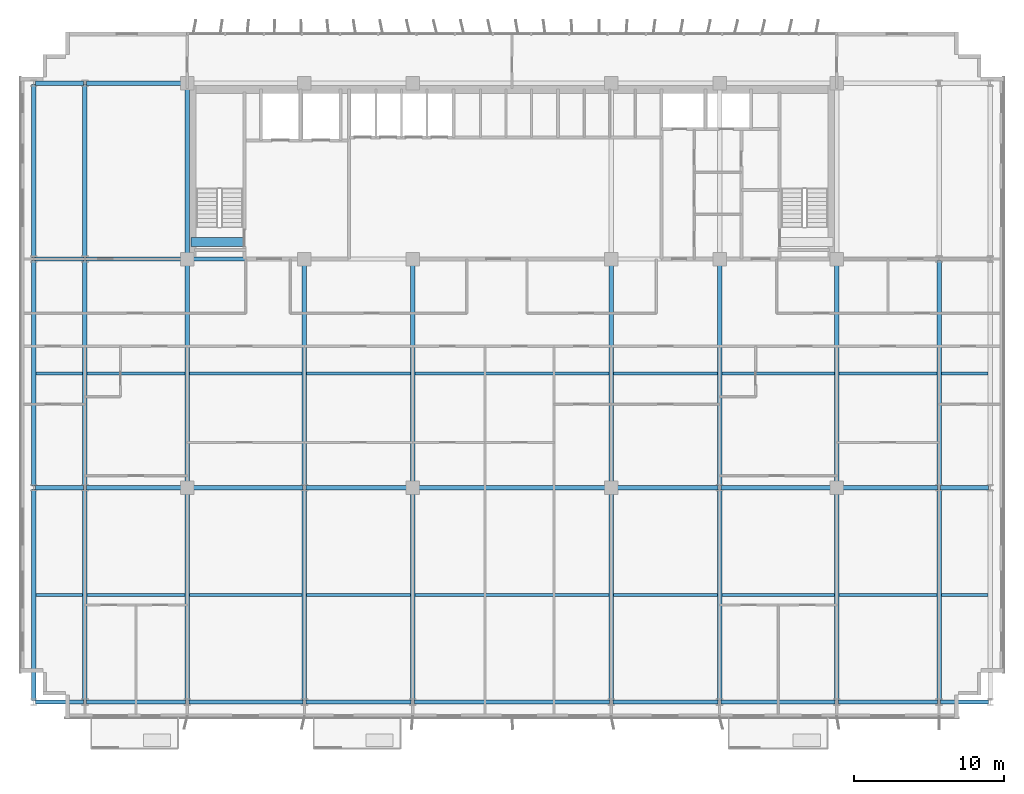
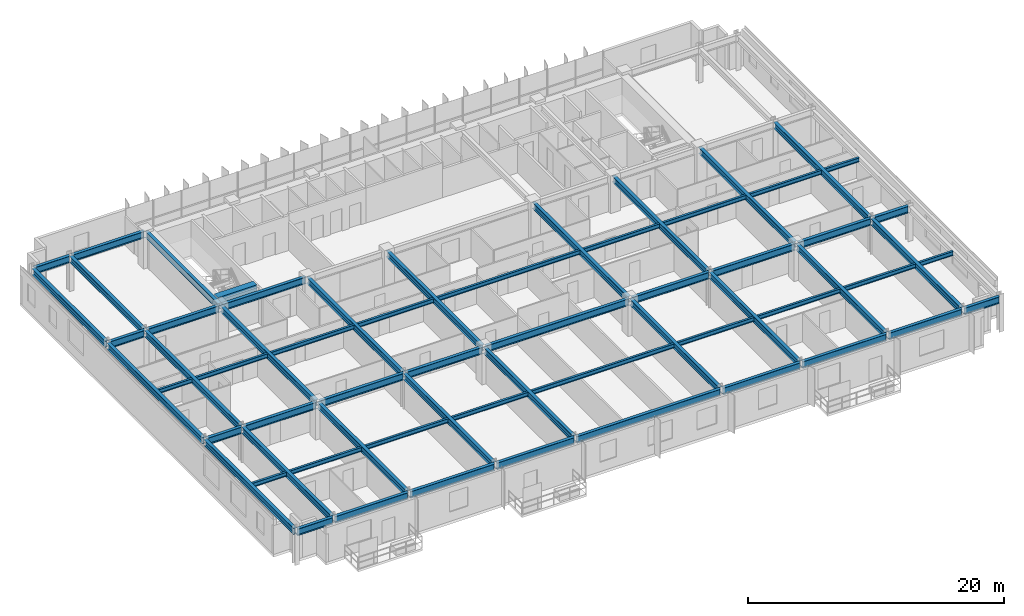
# One storey, part 4 of 22: 63 beams.
"""IFC4 building model written with IfcOpenShell, lengths in metres."""

from ifc_helpers import new_model, si_unit, direction, frame, origin, origin_2d, place, context, subcontext, project, spatial, rectangle, i_section, extrude, source, transform, mapped, material, material_profile, profile_set, type_object, element, save


model = new_model("IFC4")

# Units and contexts
model_context = context("Model", 3, precision=1e-05, world=origin(), true_north=direction((0.0, 1.0)))
body_context = subcontext(model_context, "Body", "Model", "MODEL_VIEW")
ifc_project = project(units=[si_unit("LENGTHUNIT", "METRE"), si_unit("AREAUNIT", "SQUARE_METRE"), si_unit("VOLUMEUNIT", "CUBIC_METRE"), si_unit("PLANEANGLEUNIT", "RADIAN"), si_unit("MASSUNIT", "GRAM", prefix="KILO")], contexts=[model_context])

# Site, building, storey
site_placement = place(None, origin())
site = spatial("IfcSite", under=ifc_project, at=site_placement, CompositionType="ELEMENT")
building_placement = place(site_placement, origin())
building = spatial("IfcBuilding", under=site, at=building_placement, Name="Trelvane Seafront Commons", CompositionType="ELEMENT")
storey_placement = place(building_placement, frame((0.0, 0.0, 59.5)))
storey = spatial("IfcBuildingStorey", under=building, at=storey_placement, Name="L15", CompositionType="ELEMENT", Elevation=59.5)

# Beams
ifc_material_1 = material(Name="Concrete C60/75", Category="concrete")
ifc_material_profile_1 = material_profile(ifc_material_1, rectangle(XDim=0.60009765625, YDim=0.89990234375, at=origin_2d()), Name="RC-600x900")
ifc_profile_set_1 = profile_set([ifc_material_profile_1], Name="Concrete C60/75")
beam_type_1 = type_object("IfcBeamType", Name="STR-LNT-RC600x900", PredefinedType="LINTEL", material=ifc_profile_set_1)
shared_shape_1 = source(origin(), body_context, "Body", "SweptSolid", [
    extrude(rectangle(XDim=0.60009765625, YDim=0.89990234375, at=origin_2d()), origin(), (0.0, 0.0, 1.0), 3.5498046875),
])
beam_1_placement = place(storey_placement, frame((15.85009765625, 34.550048828125, 2.889892578125), z_axis=(1.0, 0.0, 0.0), x_axis=(0.0, 1.0, 0.0)))
element("IfcBeam", 1, at=beam_1_placement, inside=storey, type_object=beam_type_1, Name="L15 Core Coupling Lintel Beam CB-85", PredefinedType="LINTEL", context=body_context, shape_type="MappedRepresentation", body=[
    mapped(shared_shape_1, transform((0.0, 0.0, 0.0), x_axis=(1.0, 0.0, 0.0), y_axis=(0.0, 1.0, 0.0), z_axis=(0.0, 0.0, 1.0), scale=1.0)),
])
ifc_material_2 = material(Name="Steel SM355 (S355)", Category="steel")
ifc_material_profile_2 = material_profile(ifc_material_2, i_section(OverallWidth=0.280029296875, OverallDepth=0.64990234375, WebThickness=0.012939453125, FlangeThickness=0.02197265625, at=origin_2d()), Name="H-650x280x13x22")
ifc_profile_set_2 = profile_set([ifc_material_profile_2], Name="Steel SM355 (S355)")
beam_type_2 = type_object("IfcBeamType", Name="STR-BM-H650", PredefinedType="BEAM", material=ifc_profile_set_2)
shared_shape_2 = source(origin(), body_context, "Body", "SweptSolid", [
    extrude(i_section(OverallWidth=0.280029296875, OverallDepth=0.64990234375, WebThickness=0.012939453125, FlangeThickness=0.02197265625, at=origin_2d()), origin(), (0.0, 0.0, 1.0), 3.190185546875),
])
for number, where, z_axis, x_axis, name in (
    (2, (5.5048828125, 3.949951171875, 3.014892578125), (1.0, 0.0, 0.0), (0.0, 1.0, 0.0), "L15 Primary Girder G-01"),
    (3, (5.5048828125, 18.199951171875, 3.014892578125), (1.0, 0.0, 0.0), (0.0, 1.0, 0.0), "L15 Primary Girder G-10"),
    (4, (5.5048828125, 33.39990234375, 3.014892578125), (1.0, 0.0, 0.0), (0.0, 1.0, 0.0), "L15 Primary Girder G-19"),
    (5, (5.5048828125, 45.10009765625, 3.014892578125), (1.0, 0.0, 0.0), (0.0, 1.0, 0.0), "L15 Primary Girder G-28"),
):
    element("IfcBeam", number, at=place(storey_placement, frame(where, z_axis=z_axis, x_axis=x_axis)), inside=storey, type_object=beam_type_2, Name=name, PredefinedType="BEAM", context=body_context, shape_type="MappedRepresentation", body=[
        mapped(shared_shape_2, transform((0.0, 0.0, 0.0), x_axis=(1.0, 0.0, 0.0), y_axis=(0.0, 1.0, 0.0), z_axis=(0.0, 0.0, 1.0), scale=1.0)),
    ])
shared_shape_3 = source(origin(), body_context, "Body", "SweptSolid", [
    extrude(i_section(OverallWidth=0.280029296875, OverallDepth=0.64990234375, WebThickness=0.012939453125, FlangeThickness=0.02197265625, at=origin_2d()), origin(), (0.0, 0.0, 1.0), 6.590087890625),
])
for number, where, z_axis, x_axis, name in (
    (6, (8.905029296875, 3.949951171875, 3.014892578125), (1.0, 0.0, 0.0), (0.0, 1.0, 0.0), "L15 Primary Girder G-02"),
    (7, (58.905029296875, 3.949951171875, 3.014892578125), (1.0, 0.0, 0.0), (0.0, 1.0, 0.0), "L15 Primary Girder G-08"),
):
    element("IfcBeam", number, at=place(storey_placement, frame(where, z_axis=z_axis, x_axis=x_axis)), inside=storey, type_object=beam_type_2, Name=name, PredefinedType="BEAM", context=body_context, shape_type="MappedRepresentation", body=[
        mapped(shared_shape_3, transform((0.0, 0.0, 0.0), x_axis=(1.0, 0.0, 0.0), y_axis=(0.0, 1.0, 0.0), z_axis=(0.0, 0.0, 1.0), scale=1.0)),
    ])
shared_shape_4 = source(origin(), body_context, "Body", "SweptSolid", [
    extrude(i_section(OverallWidth=0.280029296875, OverallDepth=0.64990234375, WebThickness=0.012939453125, FlangeThickness=0.02197265625, at=origin_2d()), origin(), (0.0, 0.0, 1.0), 7.58984375),
])
beam_2_placement = place(storey_placement, frame((15.705078125, 3.949951171875, 3.014892578125), z_axis=(1.0, 0.0, 0.0), x_axis=(0.0, 1.0, 0.0)))
element("IfcBeam", 8, at=beam_2_placement, inside=storey, type_object=beam_type_2, Name="L15 Primary Girder G-03", PredefinedType="BEAM", context=body_context, shape_type="MappedRepresentation", body=[
    mapped(shared_shape_4, transform((0.0, 0.0, 0.0), x_axis=(1.0, 0.0, 0.0), y_axis=(0.0, 1.0, 0.0), z_axis=(0.0, 0.0, 1.0), scale=1.0)),
])
shared_shape_5 = source(origin(), body_context, "Body", "SweptSolid", [
    extrude(i_section(OverallWidth=0.280029296875, OverallDepth=0.64990234375, WebThickness=0.012939453125, FlangeThickness=0.02197265625, at=origin_2d()), origin(), (0.0, 0.0, 1.0), 6.990234375),
])
beam_3_placement = place(storey_placement, frame((23.5048828125, 3.949951171875, 3.014892578125), z_axis=(1.0, 0.0, 0.0), x_axis=(0.0, 1.0, 0.0)))
element("IfcBeam", 9, at=beam_3_placement, inside=storey, type_object=beam_type_2, Name="L15 Primary Girder G-04", PredefinedType="BEAM", context=body_context, shape_type="MappedRepresentation", body=[
    mapped(shared_shape_5, transform((0.0, 0.0, 0.0), x_axis=(1.0, 0.0, 0.0), y_axis=(0.0, 1.0, 0.0), z_axis=(0.0, 0.0, 1.0), scale=1.0)),
])
shared_shape_6 = source(origin(), body_context, "Body", "SweptSolid", [
    extrude(i_section(OverallWidth=0.280029296875, OverallDepth=0.64990234375, WebThickness=0.012939453125, FlangeThickness=0.02197265625, at=origin_2d()), origin(), (0.0, 0.0, 1.0), 12.989990234375),
])
beam_4_placement = place(storey_placement, frame((30.705078125, 3.949951171875, 3.014892578125), z_axis=(1.0, 0.0, 0.0), x_axis=(0.0, 1.0, 0.0)))
element("IfcBeam", 10, at=beam_4_placement, inside=storey, type_object=beam_type_2, Name="L15 Primary Girder G-05", PredefinedType="BEAM", context=body_context, shape_type="MappedRepresentation", body=[
    mapped(shared_shape_6, transform((0.0, 0.0, 0.0), x_axis=(1.0, 0.0, 0.0), y_axis=(0.0, 1.0, 0.0), z_axis=(0.0, 0.0, 1.0), scale=1.0)),
])
shared_shape_7 = source(origin(), body_context, "Body", "SweptSolid", [
    extrude(i_section(OverallWidth=0.280029296875, OverallDepth=0.64990234375, WebThickness=0.012939453125, FlangeThickness=0.02197265625, at=origin_2d()), origin(), (0.0, 0.0, 1.0), 6.989990234375),
])
beam_5_placement = place(storey_placement, frame((43.905029296875, 3.949951171875, 3.014892578125), z_axis=(1.0, 0.0, 0.0), x_axis=(0.0, 1.0, 0.0)))
element("IfcBeam", 11, at=beam_5_placement, inside=storey, type_object=beam_type_2, Name="L15 Primary Girder G-06", PredefinedType="BEAM", context=body_context, shape_type="MappedRepresentation", body=[
    mapped(shared_shape_7, transform((0.0, 0.0, 0.0), x_axis=(1.0, 0.0, 0.0), y_axis=(0.0, 1.0, 0.0), z_axis=(0.0, 0.0, 1.0), scale=1.0)),
])
shared_shape_8 = source(origin(), body_context, "Body", "SweptSolid", [
    extrude(i_section(OverallWidth=0.280029296875, OverallDepth=0.64990234375, WebThickness=0.012939453125, FlangeThickness=0.02197265625, at=origin_2d()), origin(), (0.0, 0.0, 1.0), 7.590087890625),
])
beam_6_placement = place(storey_placement, frame((51.10498046875, 3.949951171875, 3.014892578125), z_axis=(1.0, 0.0, 0.0), x_axis=(0.0, 1.0, 0.0)))
element("IfcBeam", 12, at=beam_6_placement, inside=storey, type_object=beam_type_2, Name="L15 Primary Girder G-07", PredefinedType="BEAM", context=body_context, shape_type="MappedRepresentation", body=[
    mapped(shared_shape_8, transform((0.0, 0.0, 0.0), x_axis=(1.0, 0.0, 0.0), y_axis=(0.0, 1.0, 0.0), z_axis=(0.0, 0.0, 1.0), scale=1.0)),
])
shared_shape_9 = source(origin(), body_context, "Body", "SweptSolid", [
    extrude(i_section(OverallWidth=0.280029296875, OverallDepth=0.64990234375, WebThickness=0.012939453125, FlangeThickness=0.02197265625, at=origin_2d()), origin(), (0.0, 0.0, 1.0), 3.18994140625),
])
for number, where, z_axis, x_axis, name in (
    (13, (65.705078125, 3.949951171875, 3.014892578125), (1.0, 0.0, 0.0), (0.0, 1.0, 0.0), "L15 Primary Girder G-09"),
    (14, (65.705078125, 18.199951171875, 3.014892578125), (1.0, 0.0, 0.0), (0.0, 1.0, 0.0), "L15 Primary Girder G-18"),
):
    element("IfcBeam", number, at=place(storey_placement, frame(where, z_axis=z_axis, x_axis=x_axis)), inside=storey, type_object=beam_type_2, Name=name, PredefinedType="BEAM", context=body_context, shape_type="MappedRepresentation", body=[
        mapped(shared_shape_9, transform((0.0, 0.0, 0.0), x_axis=(1.0, 0.0, 0.0), y_axis=(0.0, 1.0, 0.0), z_axis=(0.0, 0.0, 1.0), scale=1.0)),
    ])
shared_shape_10 = source(origin(), body_context, "Body", "SweptSolid", [
    extrude(i_section(OverallWidth=0.280029296875, OverallDepth=0.64990234375, WebThickness=0.012939453125, FlangeThickness=0.02197265625, at=origin_2d()), origin(), (0.0, 0.0, 1.0), 6.544921875),
])
for number, where, z_axis, x_axis, name in (
    (15, (8.905029296875, 18.199951171875, 3.014892578125), (1.0, 0.0, 0.0), (0.0, 1.0, 0.0), "L15 Primary Girder G-11"),
    (16, (8.905029296875, 33.39990234375, 3.014892578125), (1.0, 0.0, 0.0), (0.0, 1.0, 0.0), "L15 Primary Girder G-20"),
    (17, (8.905029296875, 45.10009765625, 3.014892578125), (1.0, 0.0, 0.0), (0.0, 1.0, 0.0), "L15 Primary Girder G-29"),
):
    element("IfcBeam", number, at=place(storey_placement, frame(where, z_axis=z_axis, x_axis=x_axis)), inside=storey, type_object=beam_type_2, Name=name, PredefinedType="BEAM", context=body_context, shape_type="MappedRepresentation", body=[
        mapped(shared_shape_10, transform((0.0, 0.0, 0.0), x_axis=(1.0, 0.0, 0.0), y_axis=(0.0, 1.0, 0.0), z_axis=(0.0, 0.0, 1.0), scale=1.0)),
    ])
shared_shape_11 = source(origin(), body_context, "Body", "SweptSolid", [
    extrude(i_section(OverallWidth=0.280029296875, OverallDepth=0.64990234375, WebThickness=0.012939453125, FlangeThickness=0.02197265625, at=origin_2d()), origin(), (0.0, 0.0, 1.0), 7.544921875),
])
for number, where, z_axis, x_axis, name in (
    (18, (15.75, 18.199951171875, 3.014892578125), (1.0, 0.0, 0.0), (0.0, 1.0, 0.0), "L15 Primary Girder G-12"),
    (19, (51.10498046875, 18.199951171875, 3.014892578125), (1.0, 0.0, 0.0), (0.0, 1.0, 0.0), "L15 Primary Girder G-16"),
):
    element("IfcBeam", number, at=place(storey_placement, frame(where, z_axis=z_axis, x_axis=x_axis)), inside=storey, type_object=beam_type_2, Name=name, PredefinedType="BEAM", context=body_context, shape_type="MappedRepresentation", body=[
        mapped(shared_shape_11, transform((0.0, 0.0, 0.0), x_axis=(1.0, 0.0, 0.0), y_axis=(0.0, 1.0, 0.0), z_axis=(0.0, 0.0, 1.0), scale=1.0)),
    ])
shared_shape_12 = source(origin(), body_context, "Body", "SweptSolid", [
    extrude(i_section(OverallWidth=0.280029296875, OverallDepth=0.64990234375, WebThickness=0.012939453125, FlangeThickness=0.02197265625, at=origin_2d()), origin(), (0.0, 0.0, 1.0), 6.945068359375),
])
for number, where, z_axis, x_axis, name in (
    (20, (23.5048828125, 18.199951171875, 3.014892578125), (1.0, 0.0, 0.0), (0.0, 1.0, 0.0), "L15 Primary Girder G-13"),
    (21, (43.949951171875, 18.199951171875, 3.014892578125), (1.0, 0.0, 0.0), (0.0, 1.0, 0.0), "L15 Primary Girder G-15"),
):
    element("IfcBeam", number, at=place(storey_placement, frame(where, z_axis=z_axis, x_axis=x_axis)), inside=storey, type_object=beam_type_2, Name=name, PredefinedType="BEAM", context=body_context, shape_type="MappedRepresentation", body=[
        mapped(shared_shape_12, transform((0.0, 0.0, 0.0), x_axis=(1.0, 0.0, 0.0), y_axis=(0.0, 1.0, 0.0), z_axis=(0.0, 0.0, 1.0), scale=1.0)),
    ])
shared_shape_13 = source(origin(), body_context, "Body", "SweptSolid", [
    extrude(i_section(OverallWidth=0.280029296875, OverallDepth=0.64990234375, WebThickness=0.012939453125, FlangeThickness=0.02197265625, at=origin_2d()), origin(), (0.0, 0.0, 1.0), 12.89990234375),
])
beam_7_placement = place(storey_placement, frame((30.75, 18.199951171875, 3.014892578125), z_axis=(1.0, 0.0, 0.0), x_axis=(0.0, 1.0, 0.0)))
element("IfcBeam", 22, at=beam_7_placement, inside=storey, type_object=beam_type_2, Name="L15 Primary Girder G-14", PredefinedType="BEAM", context=body_context, shape_type="MappedRepresentation", body=[
    mapped(shared_shape_13, transform((0.0, 0.0, 0.0), x_axis=(1.0, 0.0, 0.0), y_axis=(0.0, 1.0, 0.0), z_axis=(0.0, 0.0, 1.0), scale=1.0)),
])
shared_shape_14 = source(origin(), body_context, "Body", "SweptSolid", [
    extrude(i_section(OverallWidth=0.280029296875, OverallDepth=0.64990234375, WebThickness=0.012939453125, FlangeThickness=0.02197265625, at=origin_2d()), origin(), (0.0, 0.0, 1.0), 6.545166015625),
])
beam_8_placement = place(storey_placement, frame((58.949951171875, 18.199951171875, 3.014892578125), z_axis=(1.0, 0.0, 0.0), x_axis=(0.0, 1.0, 0.0)))
element("IfcBeam", 23, at=beam_8_placement, inside=storey, type_object=beam_type_2, Name="L15 Primary Girder G-17", PredefinedType="BEAM", context=body_context, shape_type="MappedRepresentation", body=[
    mapped(shared_shape_14, transform((0.0, 0.0, 0.0), x_axis=(1.0, 0.0, 0.0), y_axis=(0.0, 1.0, 0.0), z_axis=(0.0, 0.0, 1.0), scale=1.0)),
])
shared_shape_15 = source(origin(), body_context, "Body", "SweptSolid", [
    extrude(i_section(OverallWidth=0.280029296875, OverallDepth=0.64990234375, WebThickness=0.012939453125, FlangeThickness=0.02197265625, at=origin_2d()), origin(), (0.0, 0.0, 1.0), 7.5),
])
beam_9_placement = place(storey_placement, frame((15.75, 33.39990234375, 3.014892578125), z_axis=(1.0, 0.0, 0.0), x_axis=(0.0, 1.0, 0.0)))
element("IfcBeam", 24, at=beam_9_placement, inside=storey, type_object=beam_type_2, Name="L15 Primary Girder G-21", PredefinedType="BEAM", context=body_context, shape_type="MappedRepresentation", body=[
    mapped(shared_shape_15, transform((0.0, 0.0, 0.0), x_axis=(1.0, 0.0, 0.0), y_axis=(0.0, 1.0, 0.0), z_axis=(0.0, 0.0, 1.0), scale=1.0)),
])
ifc_material_profile_3 = material_profile(ifc_material_2, i_section(OverallWidth=0.300048828125, OverallDepth=0.587890625, WebThickness=0.011962890625, FlangeThickness=0.02001953125, at=origin_2d()), Name="H-588x300x12x20")
ifc_profile_set_3 = profile_set([ifc_material_profile_3], Name="Steel SM355 (S355)")
beam_type_3 = type_object("IfcBeamType", Name="STR-BM-H588", PredefinedType="BEAM", material=ifc_profile_set_3)
shared_shape_16 = source(origin(), body_context, "Body", "SweptSolid", [
    extrude(i_section(OverallWidth=0.300048828125, OverallDepth=0.587890625, WebThickness=0.011962890625, FlangeThickness=0.02001953125, at=origin_2d()), origin(), (0.0, 0.0, 1.0), 14.0400390625),
])
for number, where, z_axis, x_axis, name in (
    (25, (5.39990234375, 4.054931640625, 3.0458984375), (0.0, 1.0, 0.0), (-1.0, 0.0, 0.0), "L15 Primary Girder G-37"),
    (26, (8.800048828125, 4.054931640625, 3.0458984375), (0.0, 1.0, 0.0), (-1.0, 0.0, 0.0), "L15 Primary Girder G-40"),
    (27, (23.39990234375, 4.054931640625, 3.0458984375), (0.0, 1.0, 0.0), (-1.0, 0.0, 0.0), "L15 Primary Girder G-46"),
    (28, (51.0, 4.054931640625, 3.0458984375), (0.0, 1.0, 0.0), (-1.0, 0.0, 0.0), "L15 Primary Girder G-55"),
    (29, (65.60009765625, 4.054931640625, 3.0458984375), (0.0, 1.0, 0.0), (-1.0, 0.0, 0.0), "L15 Primary Girder G-61"),
):
    element("IfcBeam", number, at=place(storey_placement, frame(where, z_axis=z_axis, x_axis=x_axis)), inside=storey, type_object=beam_type_3, Name=name, PredefinedType="BEAM", context=body_context, shape_type="MappedRepresentation", body=[
        mapped(shared_shape_16, transform((0.0, 0.0, 0.0), x_axis=(1.0, 0.0, 0.0), y_axis=(0.0, 1.0, 0.0), z_axis=(0.0, 0.0, 1.0), scale=1.0)),
    ])
shared_shape_17 = source(origin(), body_context, "Body", "SweptSolid", [
    extrude(i_section(OverallWidth=0.300048828125, OverallDepth=0.587890625, WebThickness=0.011962890625, FlangeThickness=0.02001953125, at=origin_2d()), origin(), (0.0, 0.0, 1.0), 14.989990234375),
])
for number, where, z_axis, x_axis, name in (
    (30, (5.39990234375, 18.304931640625, 3.0458984375), (0.0, 1.0, 0.0), (-1.0, 0.0, 0.0), "L15 Primary Girder G-38"),
    (31, (8.800048828125, 18.304931640625, 3.0458984375), (0.0, 1.0, 0.0), (-1.0, 0.0, 0.0), "L15 Primary Girder G-41"),
    (32, (65.60009765625, 18.304931640625, 3.0458984375), (0.0, 1.0, 0.0), (-1.0, 0.0, 0.0), "L15 Primary Girder G-62"),
):
    element("IfcBeam", number, at=place(storey_placement, frame(where, z_axis=z_axis, x_axis=x_axis)), inside=storey, type_object=beam_type_3, Name=name, PredefinedType="BEAM", context=body_context, shape_type="MappedRepresentation", body=[
        mapped(shared_shape_17, transform((0.0, 0.0, 0.0), x_axis=(1.0, 0.0, 0.0), y_axis=(0.0, 1.0, 0.0), z_axis=(0.0, 0.0, 1.0), scale=1.0)),
    ])
shared_shape_18 = source(origin(), body_context, "Body", "SweptSolid", [
    extrude(i_section(OverallWidth=0.300048828125, OverallDepth=0.587890625, WebThickness=0.011962890625, FlangeThickness=0.02001953125, at=origin_2d()), origin(), (0.0, 0.0, 1.0), 11.490234375),
])
for number, where, z_axis, x_axis, name in (
    (33, (5.39990234375, 33.5048828125, 3.0458984375), (0.0, 1.0, 0.0), (-1.0, 0.0, 0.0), "L15 Primary Girder G-39"),
    (34, (8.800048828125, 33.5048828125, 3.0458984375), (0.0, 1.0, 0.0), (-1.0, 0.0, 0.0), "L15 Primary Girder G-42"),
):
    element("IfcBeam", number, at=place(storey_placement, frame(where, z_axis=z_axis, x_axis=x_axis)), inside=storey, type_object=beam_type_3, Name=name, PredefinedType="BEAM", context=body_context, shape_type="MappedRepresentation", body=[
        mapped(shared_shape_18, transform((0.0, 0.0, 0.0), x_axis=(1.0, 0.0, 0.0), y_axis=(0.0, 1.0, 0.0), z_axis=(0.0, 0.0, 1.0), scale=1.0)),
    ])
shared_shape_19 = source(origin(), body_context, "Body", "SweptSolid", [
    extrude(i_section(OverallWidth=0.300048828125, OverallDepth=0.587890625, WebThickness=0.011962890625, FlangeThickness=0.02001953125, at=origin_2d()), origin(), (0.0, 0.0, 1.0), 13.9951171875),
])
for number, where, z_axis, x_axis, name in (
    (35, (15.60009765625, 4.054931640625, 3.0458984375), (0.0, 1.0, 0.0), (-1.0, 0.0, 0.0), "L15 Primary Girder G-43"),
    (36, (30.60009765625, 4.054931640625, 3.0458984375), (0.0, 1.0, 0.0), (-1.0, 0.0, 0.0), "L15 Primary Girder G-49"),
    (37, (43.800048828125, 4.054931640625, 3.0458984375), (0.0, 1.0, 0.0), (-1.0, 0.0, 0.0), "L15 Primary Girder G-52"),
    (38, (58.800048828125, 4.054931640625, 3.0458984375), (0.0, 1.0, 0.0), (-1.0, 0.0, 0.0), "L15 Primary Girder G-58"),
):
    element("IfcBeam", number, at=place(storey_placement, frame(where, z_axis=z_axis, x_axis=x_axis)), inside=storey, type_object=beam_type_3, Name=name, PredefinedType="BEAM", context=body_context, shape_type="MappedRepresentation", body=[
        mapped(shared_shape_19, transform((0.0, 0.0, 0.0), x_axis=(1.0, 0.0, 0.0), y_axis=(0.0, 1.0, 0.0), z_axis=(0.0, 0.0, 1.0), scale=1.0)),
    ])
shared_shape_20 = source(origin(), body_context, "Body", "SweptSolid", [
    extrude(i_section(OverallWidth=0.300048828125, OverallDepth=0.587890625, WebThickness=0.011962890625, FlangeThickness=0.02001953125, at=origin_2d()), origin(), (0.0, 0.0, 1.0), 14.89990234375),
])
for number, where, z_axis, x_axis, name in (
    (39, (15.60009765625, 18.35009765625, 3.0458984375), (0.0, 1.0, 0.0), (-1.0, 0.0, 0.0), "L15 Primary Girder G-44"),
    (40, (30.60009765625, 18.35009765625, 3.0458984375), (0.0, 1.0, 0.0), (-1.0, 0.0, 0.0), "L15 Primary Girder G-50"),
    (41, (43.800048828125, 18.35009765625, 3.0458984375), (0.0, 1.0, 0.0), (-1.0, 0.0, 0.0), "L15 Primary Girder G-53"),
    (42, (58.800048828125, 18.35009765625, 3.0458984375), (0.0, 1.0, 0.0), (-1.0, 0.0, 0.0), "L15 Primary Girder G-59"),
):
    element("IfcBeam", number, at=place(storey_placement, frame(where, z_axis=z_axis, x_axis=x_axis)), inside=storey, type_object=beam_type_3, Name=name, PredefinedType="BEAM", context=body_context, shape_type="MappedRepresentation", body=[
        mapped(shared_shape_20, transform((0.0, 0.0, 0.0), x_axis=(1.0, 0.0, 0.0), y_axis=(0.0, 1.0, 0.0), z_axis=(0.0, 0.0, 1.0), scale=1.0)),
    ])
shared_shape_21 = source(origin(), body_context, "Body", "SweptSolid", [
    extrude(i_section(OverallWidth=0.300048828125, OverallDepth=0.587890625, WebThickness=0.011962890625, FlangeThickness=0.02001953125, at=origin_2d()), origin(), (0.0, 0.0, 1.0), 11.39990234375),
])
beam_10_placement = place(storey_placement, frame((15.60009765625, 33.550048828125, 3.0458984375), z_axis=(0.0, 1.0, 0.0), x_axis=(-1.0, 0.0, 0.0)))
element("IfcBeam", 43, at=beam_10_placement, inside=storey, type_object=beam_type_3, Name="L15 Primary Girder G-45", PredefinedType="BEAM", context=body_context, shape_type="MappedRepresentation", body=[
    mapped(shared_shape_21, transform((0.0, 0.0, 0.0), x_axis=(1.0, 0.0, 0.0), y_axis=(0.0, 1.0, 0.0), z_axis=(0.0, 0.0, 1.0), scale=1.0)),
])
shared_shape_22 = source(origin(), body_context, "Body", "SweptSolid", [
    extrude(i_section(OverallWidth=0.300048828125, OverallDepth=0.587890625, WebThickness=0.011962890625, FlangeThickness=0.02001953125, at=origin_2d()), origin(), (0.0, 0.0, 1.0), 14.945068359375),
])
for number, where, z_axis, x_axis, name in (
    (44, (23.39990234375, 18.304931640625, 3.0458984375), (0.0, 1.0, 0.0), (-1.0, 0.0, 0.0), "L15 Primary Girder G-47"),
    (45, (51.0, 18.304931640625, 3.0458984375), (0.0, 1.0, 0.0), (-1.0, 0.0, 0.0), "L15 Primary Girder G-56"),
):
    element("IfcBeam", number, at=place(storey_placement, frame(where, z_axis=z_axis, x_axis=x_axis)), inside=storey, type_object=beam_type_3, Name=name, PredefinedType="BEAM", context=body_context, shape_type="MappedRepresentation", body=[
        mapped(shared_shape_22, transform((0.0, 0.0, 0.0), x_axis=(1.0, 0.0, 0.0), y_axis=(0.0, 1.0, 0.0), z_axis=(0.0, 0.0, 1.0), scale=1.0)),
    ])
ifc_material_profile_4 = material_profile(ifc_material_2, i_section(OverallWidth=0.199951171875, OverallDepth=0.39990234375, WebThickness=0.008056640625, FlangeThickness=0.012939453125, at=origin_2d()), Name="H-400x200x8x13")
ifc_profile_set_4 = profile_set([ifc_material_profile_4], Name="Steel SM355 (S355)")
beam_type_4 = type_object("IfcBeamType", Name="STR-JST-H400", PredefinedType="JOIST", material=ifc_profile_set_4)
shared_shape_23 = source(origin(), body_context, "Body", "SweptSolid", [
    extrude(i_section(OverallWidth=0.199951171875, OverallDepth=0.39990234375, WebThickness=0.008056640625, FlangeThickness=0.012939453125, at=origin_2d()), origin(), (0.0, 0.0, 1.0), 3.099853515625),
])
for number, where, z_axis, x_axis, name in (
    (46, (5.550048828125, 11.074951171875, 3.139892578125), (1.0, 0.0, 0.0), (0.0, 1.0, 0.0), "L15 Secondary Floor Joist B-67"),
    (47, (5.550048828125, 25.800048828125, 3.139892578125), (1.0, 0.0, 0.0), (0.0, 1.0, 0.0), "L15 Secondary Floor Joist B-76"),
):
    element("IfcBeam", number, at=place(storey_placement, frame(where, z_axis=z_axis, x_axis=x_axis)), inside=storey, type_object=beam_type_4, Name=name, PredefinedType="JOIST", context=body_context, shape_type="MappedRepresentation", body=[
        mapped(shared_shape_23, transform((0.0, 0.0, 0.0), x_axis=(1.0, 0.0, 0.0), y_axis=(0.0, 1.0, 0.0), z_axis=(0.0, 0.0, 1.0), scale=1.0)),
    ])
shared_shape_24 = source(origin(), body_context, "Body", "SweptSolid", [
    extrude(i_section(OverallWidth=0.199951171875, OverallDepth=0.39990234375, WebThickness=0.008056640625, FlangeThickness=0.012939453125, at=origin_2d()), origin(), (0.0, 0.0, 1.0), 6.5),
])
for number, where, z_axis, x_axis, name in (
    (48, (8.949951171875, 11.074951171875, 3.139892578125), (1.0, 0.0, 0.0), (0.0, 1.0, 0.0), "L15 Secondary Floor Joist B-68"),
    (49, (58.949951171875, 11.074951171875, 3.139892578125), (1.0, 0.0, 0.0), (0.0, 1.0, 0.0), "L15 Secondary Floor Joist B-74"),
    (50, (8.949951171875, 25.800048828125, 3.139892578125), (1.0, 0.0, 0.0), (0.0, 1.0, 0.0), "L15 Secondary Floor Joist B-77"),
    (51, (58.949951171875, 25.800048828125, 3.139892578125), (1.0, 0.0, 0.0), (0.0, 1.0, 0.0), "L15 Secondary Floor Joist B-83"),
):
    element("IfcBeam", number, at=place(storey_placement, frame(where, z_axis=z_axis, x_axis=x_axis)), inside=storey, type_object=beam_type_4, Name=name, PredefinedType="JOIST", context=body_context, shape_type="MappedRepresentation", body=[
        mapped(shared_shape_24, transform((0.0, 0.0, 0.0), x_axis=(1.0, 0.0, 0.0), y_axis=(0.0, 1.0, 0.0), z_axis=(0.0, 0.0, 1.0), scale=1.0)),
    ])
shared_shape_25 = source(origin(), body_context, "Body", "SweptSolid", [
    extrude(i_section(OverallWidth=0.199951171875, OverallDepth=0.39990234375, WebThickness=0.008056640625, FlangeThickness=0.012939453125, at=origin_2d()), origin(), (0.0, 0.0, 1.0), 7.5),
])
for number, where, z_axis, x_axis, name in (
    (52, (15.75, 11.074951171875, 3.139892578125), (1.0, 0.0, 0.0), (0.0, 1.0, 0.0), "L15 Secondary Floor Joist B-69"),
    (53, (51.14990234375, 11.074951171875, 3.139892578125), (1.0, 0.0, 0.0), (0.0, 1.0, 0.0), "L15 Secondary Floor Joist B-73"),
    (54, (15.75, 25.800048828125, 3.139892578125), (1.0, 0.0, 0.0), (0.0, 1.0, 0.0), "L15 Secondary Floor Joist B-78"),
    (55, (51.14990234375, 25.800048828125, 3.139892578125), (1.0, 0.0, 0.0), (0.0, 1.0, 0.0), "L15 Secondary Floor Joist B-82"),
):
    element("IfcBeam", number, at=place(storey_placement, frame(where, z_axis=z_axis, x_axis=x_axis)), inside=storey, type_object=beam_type_4, Name=name, PredefinedType="JOIST", context=body_context, shape_type="MappedRepresentation", body=[
        mapped(shared_shape_25, transform((0.0, 0.0, 0.0), x_axis=(1.0, 0.0, 0.0), y_axis=(0.0, 1.0, 0.0), z_axis=(0.0, 0.0, 1.0), scale=1.0)),
    ])
shared_shape_26 = source(origin(), body_context, "Body", "SweptSolid", [
    extrude(i_section(OverallWidth=0.199951171875, OverallDepth=0.39990234375, WebThickness=0.008056640625, FlangeThickness=0.012939453125, at=origin_2d()), origin(), (0.0, 0.0, 1.0), 6.89990234375),
])
for number, where, z_axis, x_axis, name in (
    (56, (23.550048828125, 11.074951171875, 3.139892578125), (1.0, 0.0, 0.0), (0.0, 1.0, 0.0), "L15 Secondary Floor Joist B-70"),
    (57, (23.550048828125, 25.800048828125, 3.139892578125), (1.0, 0.0, 0.0), (0.0, 1.0, 0.0), "L15 Secondary Floor Joist B-79"),
):
    element("IfcBeam", number, at=place(storey_placement, frame(where, z_axis=z_axis, x_axis=x_axis)), inside=storey, type_object=beam_type_4, Name=name, PredefinedType="JOIST", context=body_context, shape_type="MappedRepresentation", body=[
        mapped(shared_shape_26, transform((0.0, 0.0, 0.0), x_axis=(1.0, 0.0, 0.0), y_axis=(0.0, 1.0, 0.0), z_axis=(0.0, 0.0, 1.0), scale=1.0)),
    ])
shared_shape_27 = source(origin(), body_context, "Body", "SweptSolid", [
    extrude(i_section(OverallWidth=0.199951171875, OverallDepth=0.39990234375, WebThickness=0.008056640625, FlangeThickness=0.012939453125, at=origin_2d()), origin(), (0.0, 0.0, 1.0), 12.89990234375),
])
for number, where, z_axis, x_axis, name in (
    (58, (30.75, 11.074951171875, 3.139892578125), (1.0, 0.0, 0.0), (0.0, 1.0, 0.0), "L15 Secondary Floor Joist B-71"),
    (59, (30.75, 25.800048828125, 3.139892578125), (1.0, 0.0, 0.0), (0.0, 1.0, 0.0), "L15 Secondary Floor Joist B-80"),
):
    element("IfcBeam", number, at=place(storey_placement, frame(where, z_axis=z_axis, x_axis=x_axis)), inside=storey, type_object=beam_type_4, Name=name, PredefinedType="JOIST", context=body_context, shape_type="MappedRepresentation", body=[
        mapped(shared_shape_27, transform((0.0, 0.0, 0.0), x_axis=(1.0, 0.0, 0.0), y_axis=(0.0, 1.0, 0.0), z_axis=(0.0, 0.0, 1.0), scale=1.0)),
    ])
shared_shape_28 = source(origin(), body_context, "Body", "SweptSolid", [
    extrude(i_section(OverallWidth=0.199951171875, OverallDepth=0.39990234375, WebThickness=0.008056640625, FlangeThickness=0.012939453125, at=origin_2d()), origin(), (0.0, 0.0, 1.0), 6.900146484375),
])
for number, where, z_axis, x_axis, name in (
    (60, (43.949951171875, 11.074951171875, 3.139892578125), (1.0, 0.0, 0.0), (0.0, 1.0, 0.0), "L15 Secondary Floor Joist B-72"),
    (61, (43.949951171875, 25.800048828125, 3.139892578125), (1.0, 0.0, 0.0), (0.0, 1.0, 0.0), "L15 Secondary Floor Joist B-81"),
):
    element("IfcBeam", number, at=place(storey_placement, frame(where, z_axis=z_axis, x_axis=x_axis)), inside=storey, type_object=beam_type_4, Name=name, PredefinedType="JOIST", context=body_context, shape_type="MappedRepresentation", body=[
        mapped(shared_shape_28, transform((0.0, 0.0, 0.0), x_axis=(1.0, 0.0, 0.0), y_axis=(0.0, 1.0, 0.0), z_axis=(0.0, 0.0, 1.0), scale=1.0)),
    ])
shared_shape_29 = source(origin(), body_context, "Body", "SweptSolid", [
    extrude(i_section(OverallWidth=0.199951171875, OverallDepth=0.39990234375, WebThickness=0.008056640625, FlangeThickness=0.012939453125, at=origin_2d()), origin(), (0.0, 0.0, 1.0), 3.10009765625),
])
for number, where, z_axis, x_axis, name in (
    (62, (65.75, 11.074951171875, 3.139892578125), (1.0, 0.0, 0.0), (0.0, 1.0, 0.0), "L15 Secondary Floor Joist B-75"),
    (63, (65.75, 25.800048828125, 3.139892578125), (1.0, 0.0, 0.0), (0.0, 1.0, 0.0), "L15 Secondary Floor Joist B-84"),
):
    element("IfcBeam", number, at=place(storey_placement, frame(where, z_axis=z_axis, x_axis=x_axis)), inside=storey, type_object=beam_type_4, Name=name, PredefinedType="JOIST", context=body_context, shape_type="MappedRepresentation", body=[
        mapped(shared_shape_29, transform((0.0, 0.0, 0.0), x_axis=(1.0, 0.0, 0.0), y_axis=(0.0, 1.0, 0.0), z_axis=(0.0, 0.0, 1.0), scale=1.0)),
    ])

save(model, "model.ifc")
